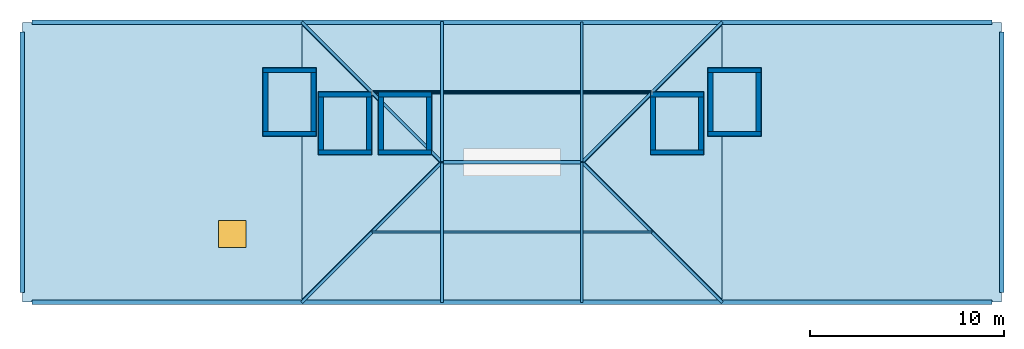
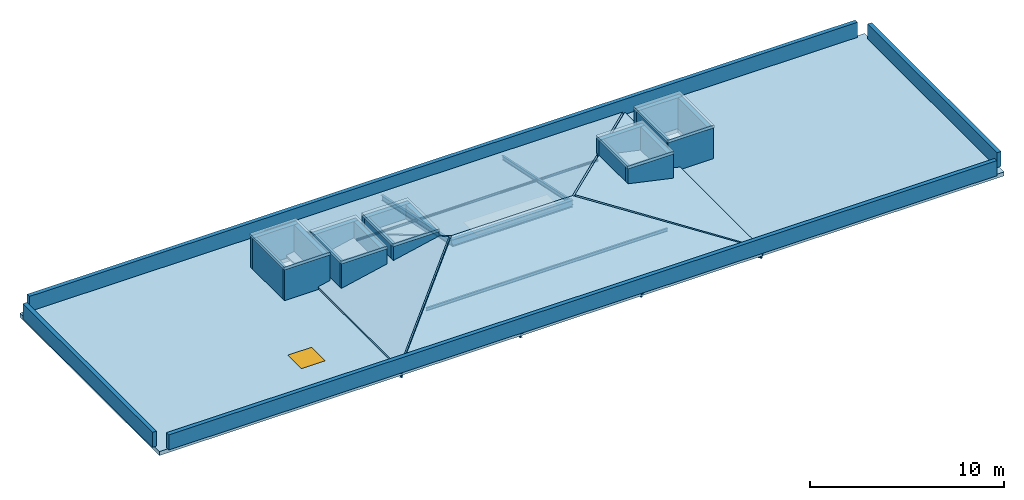
"""IFC4 building model written with IfcOpenShell, lengths in metres."""

from ifc_helpers import new_model, si_unit, direction, frame, frame_2d, origin, origin_2d, place, context, subcontext, project, spatial, polyline, rectangle, hollow_circle, i_section, outline, extrude, material, layer, layer_set, material_profile, profile_set, type_object, element, fill, save


model = new_model("IFC4")

# Units and contexts
model_context = context("Model", 3, precision=1e-05, world=origin(), true_north=direction((0.0, 1.0)))
body_context = subcontext(model_context, "Body", "Model", "MODEL_VIEW")
ifc_project = project(units=[si_unit("LENGTHUNIT", "METRE"), si_unit("AREAUNIT", "SQUARE_METRE"), si_unit("VOLUMEUNIT", "CUBIC_METRE"), si_unit("PLANEANGLEUNIT", "RADIAN"), si_unit("MASSUNIT", "GRAM", prefix="KILO")], contexts=[model_context])

# Site, building, storey
site_placement = place(None, origin())
site = spatial("IfcSite", under=ifc_project, at=site_placement, CompositionType="ELEMENT")
building_placement = place(site_placement, origin())
building = spatial("IfcBuilding", under=site, at=building_placement, Name="Kazehaya Institute of Natural Sciences", CompositionType="ELEMENT")
storey_1_placement = place(building_placement, frame((0.0, 0.0, 46.260009765625)))
storey_1 = spatial("IfcBuildingStorey", under=building, at=storey_1_placement, Name="Roof", CompositionType="ELEMENT", Elevation=46.260009765625)

# Beam
ifc_material_1 = material(Name="Structural steel SN490B", Category="steel")
ifc_material_profile_1 = material_profile(ifc_material_1, i_section(OverallWidth=0.199951171875, OverallDepth=0.449951171875, WebThickness=0.009033203125, FlangeThickness=0.013916015625, FilletRadius=0.01611328125, at=origin_2d()), Name="H-450x200x9x14")
ifc_profile_set_1 = profile_set([ifc_material_profile_1], Name="Structural steel SN490B")
beam_type = type_object("IfcBeamType", Name="BM-STL-H450", PredefinedType="BEAM", material=ifc_profile_set_1)
beam_placement = place(storey_1_placement, frame((83.39990234375, 21.199951171875, 1.25048828125), z_axis=(1.0, 0.0, 0.0), x_axis=(0.0, 1.0, 0.0)))
element("IfcBeam", 1, at=beam_placement, inside=storey_1, type_object=beam_type, Name="ROOF-VOL4-ATTIC steel ridge girder", PredefinedType="BEAM", context=body_context, shape_type="SweptSolid", body=[
    extrude(i_section(OverallWidth=0.199951171875, OverallDepth=0.449951171875, WebThickness=0.009033203125, FlangeThickness=0.013916015625, FilletRadius=0.01611328125, at=origin_2d()), origin(), (0.0, 0.0, 1.0), 7.2001953125),
])

# Members
ifc_material_profile_2 = material_profile(ifc_material_1, hollow_circle(Radius=0.08251953125, WallThickness=0.006103515625, at=origin_2d()), Name="CHS-165.2x6.0")
ifc_profile_set_2 = profile_set([ifc_material_profile_2], Name="Structural steel SN490B")
member_type_1 = type_object("IfcMemberType", Name="MEM-PUR-CHS165", PredefinedType="PURLIN", material=ifc_profile_set_2)
member_1_placement = place(storey_1_placement, frame((79.800048828125, 24.800048828125, 0.4951171875), z_axis=(1.0, 0.0, 0.0), x_axis=(0.0, 1.0, 0.0)))
element("IfcMember", 2, at=member_1_placement, inside=storey_1, type_object=member_type_1, Name="ROOF-VOL4-ATTIC roof purlin 10", PredefinedType="PURLIN", context=body_context, shape_type="SweptSolid", body=[
    extrude(hollow_circle(Radius=0.08251953125, WallThickness=0.006103515625, at=origin_2d()), origin(), (0.0, 0.0, 1.0), 14.39990234375),
])
ifc_material_profile_3 = material_profile(ifc_material_1, i_section(OverallWidth=0.10009765625, OverallDepth=0.199951171875, WebThickness=0.005615234375, FlangeThickness=0.008056640625, FilletRadius=0.008056640625, at=origin_2d()), Name="H-200x100x5.5x8")
ifc_profile_set_3 = profile_set([ifc_material_profile_3], Name="Structural steel SN490B")
member_type_2 = type_object("IfcMemberType", Name="MEM-PUR-H200", PredefinedType="PURLIN", material=ifc_profile_set_3)
member_2_placement = place(storey_1_placement, frame((79.800048828125, 17.60009765625, 0.4951171875), z_axis=(1.0, 0.0, 0.0), x_axis=(0.0, 1.0, 0.0)))
element("IfcMember", 3, at=member_2_placement, inside=storey_1, type_object=member_type_2, Name="ROOF-VOL4-ATTIC roof purlin 9", PredefinedType="PURLIN", context=body_context, shape_type="SweptSolid", body=[
    extrude(i_section(OverallWidth=0.10009765625, OverallDepth=0.199951171875, WebThickness=0.005615234375, FlangeThickness=0.008056640625, FilletRadius=0.008056640625, at=origin_2d()), origin(), (0.0, 0.0, 1.0), 14.39990234375),
])
ifc_material_profile_4 = material_profile(ifc_material_1, i_section(OverallWidth=0.125, OverallDepth=0.25, WebThickness=0.006103515625, FlangeThickness=0.009033203125, FilletRadius=0.010009765625, at=origin_2d()), Name="H-250x125x6x9")
ifc_profile_set_4 = profile_set([ifc_material_profile_4], Name="Structural steel SN490B")
member_type_3 = type_object("IfcMemberType", Name="MEM-RAF-H250", PredefinedType="RAFTER", material=ifc_profile_set_4)
for number, where, z_axis, x_axis, name in (
    (4, (90.60009765625, 14.0, -0.25), (0.0, 0.97896688533, 0.204019208478), (-1.0, 0.0, 0.0), "ROOF-VOL4-ATTIC roof truss rafter 59"),
    (5, (90.60009765625, 28.39990234375, -0.25), (0.0, -0.97896688533, 0.204019208478), (1.0, 0.0, 0.0), "ROOF-VOL4-ATTIC roof truss rafter 60"),
):
    element("IfcMember", number, at=place(storey_1_placement, frame(where, z_axis=z_axis, x_axis=x_axis)), inside=storey_1, type_object=member_type_3, Name=name, PredefinedType="RAFTER", context=body_context, shape_type="SweptSolid", body=[
        extrude(i_section(OverallWidth=0.125, OverallDepth=0.25, WebThickness=0.006103515625, FlangeThickness=0.009033203125, FilletRadius=0.010009765625, at=origin_2d()), origin(), (0.0, 0.0, 1.0), 7.354736328125),
    ])
ifc_material_profile_5 = material_profile(ifc_material_1, i_section(OverallWidth=0.14990234375, OverallDepth=0.300048828125, WebThickness=0.006591796875, FlangeThickness=0.009033203125, FilletRadius=0.012939453125, at=origin_2d()), Name="H-300x150x6.5x9")
ifc_profile_set_5 = profile_set([ifc_material_profile_5], Name="Structural steel SN490B")
member_type_4 = type_object("IfcMemberType", Name="MEM-RAF-H300", PredefinedType="RAFTER", material=ifc_profile_set_5)
for number, where, z_axis, x_axis, name in (
    (6, (76.199951171875, 14.0, -0.25), (0.699551906345, 0.699551906345, 0.145788410579), (-0.707106781187, 0.707106781187, 0.0), "ROOF-VOL4-ATTIC corner hip rafter SW"),
    (7, (76.199951171875, 28.39990234375, -0.25), (0.699551906345, -0.699551906345, 0.145788410579), (0.707106781187, 0.707106781187, 0.0), "ROOF-VOL4-ATTIC corner hip rafter NW"),
    (8, (97.800048828125, 14.0, -0.25), (-0.699551906345, 0.699551906345, 0.145788410579), (-0.707106781187, -0.707106781187, 0.0), "ROOF-VOL4-ATTIC corner hip rafter SE"),
    (9, (97.800048828125, 28.39990234375, -0.25), (-0.699551906345, -0.699551906345, 0.145788410579), (0.707106781187, -0.707106781187, 0.0), "ROOF-VOL4-ATTIC corner hip rafter NE"),
):
    element("IfcMember", number, at=place(storey_1_placement, frame(where, z_axis=z_axis, x_axis=x_axis)), inside=storey_1, type_object=member_type_4, Name=name, PredefinedType="RAFTER", context=body_context, shape_type="SweptSolid", body=[
        extrude(i_section(OverallWidth=0.14990234375, OverallDepth=0.300048828125, WebThickness=0.006591796875, FlangeThickness=0.009033203125, FilletRadius=0.012939453125, at=origin_2d()), origin(), (0.0, 0.0, 1.0), 10.292236328125),
    ])
for number, where, z_axis, x_axis, name in (
    (10, (83.39990234375, 14.0, -0.25), (0.0, 0.97896688533, 0.204019208478), (-1.0, 0.0, 0.0), "ROOF-VOL4-ATTIC roof truss rafter 57"),
    (11, (83.39990234375, 28.39990234375, -0.25), (0.0, -0.97896688533, 0.204019208478), (1.0, 0.0, 0.0), "ROOF-VOL4-ATTIC roof truss rafter 58"),
):
    element("IfcMember", number, at=place(storey_1_placement, frame(where, z_axis=z_axis, x_axis=x_axis)), inside=storey_1, type_object=member_type_4, Name=name, PredefinedType="RAFTER", context=body_context, shape_type="SweptSolid", body=[
        extrude(i_section(OverallWidth=0.14990234375, OverallDepth=0.300048828125, WebThickness=0.006591796875, FlangeThickness=0.009033203125, FilletRadius=0.012939453125, at=origin_2d()), origin(), (0.0, 0.0, 1.0), 7.354736328125),
    ])

# Slabs
ifc_material_2 = material(Name="Concrete Fc36", Category="concrete")
ifc_layer_1 = layer(ifc_material_2, 0.169921875, Name="Concrete Fc36", Category="concrete")
ifc_layer_set_1 = layer_set([ifc_layer_1], Name="Concrete Fc36")
slab_type_1 = type_object("IfcSlabType", Name="SL-ROF-170", PredefinedType="ROOF", material=ifc_layer_set_1)
for number, where, z_axis, x_axis, name in (
    (12, (76.199951171875, 14.0, 0.169921875), (0.0, -0.207927381249, 0.978144265498), (1.0, 0.0, 0.0), "ROOF-VOL4-ATTIC south pitched roof slab"),
    (13, (97.800048828125, 28.39990234375, 0.169921875), (0.0, 0.207927381249, 0.978144265498), (-1.0, 0.0, 0.0), "ROOF-VOL4-ATTIC north pitched roof slab"),
):
    element("IfcSlab", number, at=place(storey_1_placement, frame(where, z_axis=z_axis, x_axis=x_axis)), inside=storey_1, type_object=slab_type_1, Name=name, PredefinedType="ROOF", context=body_context, shape_type="SweptSolid", body=[
        extrude(outline(polyline([(0.0, 0.0), (21.60009765625, 0.0), (14.400146484375, 7.360827462611374), (7.199951171875, 7.360827462611374), (0.0, 0.0)])), origin(), (0.0, 0.0, -1.0), 0.169921875),
    ])
for number, where, z_axis, x_axis, name in (
    (14, (76.199951171875, 28.239990234375, 0.169921875), (-0.212439492435, 0.0, 0.977174222979), (0.0, -1.0, 0.0), "ROOF-VOL4-ATTIC west hip pitched roof slab"),
    (15, (97.800048828125, 14.159912109375, 0.169921875), (0.212439492435, 0.0, 0.977174222979), (0.0, 1.0, 0.0), "ROOF-VOL4-ATTIC east hip pitched roof slab"),
):
    element("IfcSlab", number, at=place(storey_1_placement, frame(where, z_axis=z_axis, x_axis=x_axis)), inside=storey_1, type_object=slab_type_1, Name=name, PredefinedType="ROOF", context=body_context, shape_type="SweptSolid", body=[
        extrude(outline(polyline([(0.0, 0.0), (14.080078125, 0.0), (7.0400390625, 7.204487078097614), (0.0, 0.0)])), origin(), (0.0, 0.0, -1.0), 0.169921875),
    ])
ifc_layer_2 = layer(ifc_material_2, 0.179931640625, Name="Concrete Fc36", Category="concrete")
ifc_layer_set_2 = layer_set([ifc_layer_2], Name="Concrete Fc36")
slab_type_2 = type_object("IfcSlabType", Name="SL-ROF-180", PredefinedType="ROOF", material=ifc_layer_set_2)
slab_1_placement = place(storey_1_placement, frame((0.0, 0.0, 1.93994140625)))
element("IfcSlab", 16, at=slab_1_placement, inside=storey_1, type_object=slab_type_2, Name="Roof EL07 lift overrun roof cap", PredefinedType="ROOF", context=body_context, shape_type="SweptSolid", body=[
    extrude(outline(polyline([(74.1650390625, 22.514892578125), (76.93505859375, 22.514892578125), (76.93505859375, 26.0849609375), (74.1650390625, 26.0849609375), (74.1650390625, 22.514892578125)])), origin(), (0.0, 0.0, 1.0), 0.179931640625),
])
slab_2_placement = place(storey_1_placement, frame((0.0, 0.0, 1.93994140625)))
element("IfcSlab", 17, at=slab_2_placement, inside=storey_1, type_object=slab_type_2, Name="Roof EL08 lift overrun roof cap", PredefinedType="ROOF", context=body_context, shape_type="SweptSolid", body=[
    extrude(outline(polyline([(97.06494140625, 22.514892578125), (99.8349609375, 22.514892578125), (99.8349609375, 26.0849609375), (97.06494140625, 26.0849609375), (97.06494140625, 22.514892578125)])), origin(), (0.0, 0.0, 1.0), 0.179931640625),
])
slab_3_placement = place(storey_1_placement, frame((0.0, 0.0, 1.89990234375)))
element("IfcSlab", 18, at=slab_3_placement, inside=storey_1, type_object=slab_type_2, Name="Roof EL01 lift overrun roof cap", PredefinedType="ROOF", context=body_context, shape_type="SweptSolid", body=[
    extrude(outline(polyline([(77.014892578125, 21.56494140625), (79.784912109375, 21.56494140625), (79.784912109375, 24.8349609375), (77.014892578125, 24.8349609375), (77.014892578125, 21.56494140625)])), origin(), (0.0, 0.0, 1.0), 0.18017578125),
])
slab_4_placement = place(storey_1_placement, frame((0.0, 0.0, 1.89990234375)))
element("IfcSlab", 19, at=slab_4_placement, inside=storey_1, type_object=slab_type_2, Name="Roof EL02 lift overrun roof cap", PredefinedType="ROOF", context=body_context, shape_type="SweptSolid", body=[
    extrude(outline(polyline([(80.114990234375, 21.56494140625), (82.885009765625, 21.56494140625), (82.885009765625, 24.8349609375), (80.114990234375, 24.8349609375), (80.114990234375, 21.56494140625)])), origin(), (0.0, 0.0, 1.0), 0.18017578125),
])
slab_5_placement = place(storey_1_placement, frame((0.0, 0.0, 1.89990234375)))
element("IfcSlab", 20, at=slab_5_placement, inside=storey_1, type_object=slab_type_2, Name="Roof EL03 lift overrun roof cap", PredefinedType="ROOF", context=body_context, shape_type="SweptSolid", body=[
    extrude(outline(polyline([(94.114990234375, 21.56494140625), (96.885009765625, 21.56494140625), (96.885009765625, 24.8349609375), (94.114990234375, 24.8349609375), (94.114990234375, 21.56494140625)])), origin(), (0.0, 0.0, 1.0), 0.18017578125),
])

# Slab, opening
ifc_layer_3 = layer(ifc_material_2, 0.2548828125, Name="Concrete Fc36", Category="concrete")
ifc_layer_set_3 = layer_set([ifc_layer_3], Name="Concrete Fc36")
slab_type_3 = type_object("IfcSlabType", Name="SL-ROF-255", PredefinedType="ROOF", material=ifc_layer_set_3)
slab_6_placement = place(storey_1_placement, frame((0.0, 0.0, -0.255126953125)))
slab_6 = element("IfcSlab", 21, at=slab_6_placement, inside=storey_1, type_object=slab_type_3, Name="Roof attic structural deck SLAB-ROOF-ATTIC", PredefinedType="ROOF", context=body_context, shape_type="SweptSolid", body=[
    extrude(outline(polyline([(61.800048828125, 14.0), (112.199951171875, 14.0), (112.199951171875, 28.39990234375), (61.800048828125, 28.39990234375), (61.800048828125, 14.0)]), holes=[polyline([(74.449951171875, 22.800048828125), (76.64990234375, 22.800048828125), (76.64990234375, 25.800048828125), (74.449951171875, 25.800048828125), (74.449951171875, 22.800048828125)]), polyline([(97.35009765625, 22.800048828125), (99.550048828125, 22.800048828125), (99.550048828125, 25.800048828125), (97.35009765625, 25.800048828125), (97.35009765625, 22.800048828125)]), polyline([(77.300048828125, 21.85009765625), (79.5, 21.85009765625), (79.5, 24.550048828125), (77.300048828125, 24.550048828125), (77.300048828125, 21.85009765625)]), polyline([(80.39990234375, 21.85009765625), (82.60009765625, 21.85009765625), (82.60009765625, 24.550048828125), (80.39990234375, 24.550048828125), (80.39990234375, 21.85009765625)]), polyline([(94.39990234375, 21.85009765625), (96.60009765625, 21.85009765625), (96.60009765625, 24.550048828125), (94.39990234375, 24.550048828125), (94.39990234375, 21.85009765625)]), polyline([(71.89990234375, 16.800048828125), (73.300048828125, 16.800048828125), (73.300048828125, 18.199951171875), (71.89990234375, 18.199951171875), (71.89990234375, 16.800048828125)])]), origin(), (0.0, 0.0, 1.0), 0.255126953125),
])
opening_placement = place(slab_6_placement, frame((72.60009765625, 17.5, 0.0)))
opening = element("IfcOpeningElement", 22, at=opening_placement, cuts=slab_6, Name="Opening SK04", PredefinedType="OPENING", context=body_context, shape_type="SweptSolid", body=[
    extrude(rectangle(XDim=1.39990234375, YDim=1.39990234375, at=origin_2d()), frame((0.0, 0.0, -0.010009765625)), (0.0, 0.0, 1.0), 0.275146484375),
])

# Storey
storey_2_placement = place(building_placement, frame((0.0, 0.0, 41.93994140625)))
storey_2 = spatial("IfcBuildingStorey", under=building, at=storey_2_placement, Name="L09", CompositionType="ELEMENT", Elevation=41.93994140625)

# Window
ifc_material_3 = material(Name="Low-E double-glazed aluminium window", Category="aluminium")
window_type = type_object("IfcWindowType", Name="SK-04", PartitioningType="SINGLE_PANEL", PredefinedType="SKYLIGHT", material=ifc_material_3)
window_placement = place(opening_placement, frame((0.0, 0.0, 0.205078125)))
window = element("IfcWindow", 23, at=window_placement, inside=storey_2, type_object=window_type, Name="L09 daylight skylight SKY-09", OverallHeight=1.39990234375, OverallWidth=1.39990234375, PartitioningType="SINGLE_PANEL", PredefinedType="SKYLIGHT", context=body_context, shape_type="SweptSolid", body=[
    extrude(rectangle(XDim=1.39990234375, YDim=1.39990234375, at=origin_2d()), origin(), (0.0, 0.0, 1.0), 0.050048828125),
])

fill(opening, window)

# Walls
ifc_material_4 = material(Name="Precast concrete Fc36", Category="concrete")
ifc_layer_4 = layer(ifc_material_4, 0.239990234375, Name="Precast concrete Fc36", Category="concrete")
ifc_layer_set_4 = layer_set([ifc_layer_4], Name="Precast concrete Fc36")
wall_type_1 = type_object("IfcWallType", Name="WL-PAR-240", PredefinedType="PARAPET", material=ifc_layer_set_4)
wall_1_placement = place(storey_1_placement, frame((62.300048828125, 14.0, 0.0), z_axis=(0.0, 0.0, 1.0), x_axis=(1.0, 0.0, 0.0)))
element("IfcWall", 24, at=wall_1_placement, inside=storey_1, type_object=wall_type_1, Name="Roof roof parapet wall PAR-01", PredefinedType="PARAPET", context=body_context, shape_type="SweptSolid", body=[
    extrude(rectangle(XDim=49.39990234375, YDim=0.239990234375, at=frame_2d((24.699951171875, 0.0))), origin(), (0.0, 0.0, 1.0), 0.949951171875),
])
wall_2_placement = place(storey_1_placement, frame((112.199951171875, 14.5, 0.0), z_axis=(0.0, 0.0, 1.0), x_axis=(0.0, 1.0, 0.0)))
element("IfcWall", 25, at=wall_2_placement, inside=storey_1, type_object=wall_type_1, Name="Roof roof parapet wall PAR-02", PredefinedType="PARAPET", context=body_context, shape_type="SweptSolid", body=[
    extrude(rectangle(XDim=13.39990234375, YDim=0.239990234375, at=frame_2d((6.699951171875, 0.0))), origin(), (0.0, 0.0, 1.0), 0.949951171875),
])
wall_3_placement = place(storey_1_placement, frame((111.699951171875, 28.39990234375, 0.0), z_axis=(0.0, 0.0, 1.0), x_axis=(-1.0, 0.0, 0.0)))
element("IfcWall", 26, at=wall_3_placement, inside=storey_1, type_object=wall_type_1, Name="Roof roof parapet wall PAR-03", PredefinedType="PARAPET", context=body_context, shape_type="SweptSolid", body=[
    extrude(rectangle(XDim=49.39990234375, YDim=0.239990234375, at=frame_2d((24.699951171875, 0.0))), origin(), (0.0, 0.0, 1.0), 0.949951171875),
])
wall_4_placement = place(storey_1_placement, frame((61.800048828125, 27.89990234375, 0.0), z_axis=(0.0, 0.0, 1.0), x_axis=(0.0, -1.0, 0.0)))
element("IfcWall", 27, at=wall_4_placement, inside=storey_1, type_object=wall_type_1, Name="Roof roof parapet wall PAR-04", PredefinedType="PARAPET", context=body_context, shape_type="SweptSolid", body=[
    extrude(rectangle(XDim=13.39990234375, YDim=0.239990234375, at=frame_2d((6.699951171875, 0.0))), origin(), (0.0, 0.0, 1.0), 0.949951171875),
])
ifc_material_5 = material(Name="Concrete Fc42", Category="concrete")
ifc_layer_5 = layer(ifc_material_5, 0.25, Name="Concrete Fc42", Category="concrete")
ifc_layer_set_5 = layer_set([ifc_layer_5], Name="Concrete Fc42")
wall_type_2 = type_object("IfcWallType", Name="WL-SHAFT-250", PredefinedType="SHEAR", material=ifc_layer_set_5)
for number, where, z_axis, x_axis, name in (
    (28, (76.909912109375, 22.6650390625, 0.0), (0.0, 0.0, 1.0), (-1.0, 0.0, 0.0), "Roof EL07 lift overrun enclosure south"),
    (29, (74.18994140625, 25.93505859375, 0.0), (0.0, 0.0, 1.0), (1.0, 0.0, 0.0), "Roof EL07 lift overrun enclosure north"),
):
    element("IfcWall", number, at=place(storey_1_placement, frame(where, z_axis=z_axis, x_axis=x_axis)), inside=storey_1, type_object=wall_type_2, Name=name, PredefinedType="SHEAR", context=body_context, shape_type="SweptSolid", body=[
        extrude(rectangle(XDim=2.719970703125, YDim=0.25, at=frame_2d((1.35986328125, 0.0))), origin(), (0.0, 0.0, 1.0), 1.93994140625),
    ])
for number, where, z_axis, x_axis, name in (
    (30, (74.31494140625, 22.6650390625, 0.0), (0.0, 0.0, 1.0), (0.0, 1.0, 0.0), "Roof EL07 lift overrun enclosure west"),
    (31, (76.784912109375, 25.93505859375, 0.0), (0.0, 0.0, 1.0), (0.0, -1.0, 0.0), "Roof EL07 lift overrun enclosure east"),
):
    element("IfcWall", number, at=place(storey_1_placement, frame(where, z_axis=z_axis, x_axis=x_axis)), inside=storey_1, type_object=wall_type_2, Name=name, PredefinedType="SHEAR", context=body_context, shape_type="SweptSolid", body=[
        extrude(rectangle(XDim=3.27001953125, YDim=0.25, at=frame_2d((1.635009765625, 0.0))), origin(), (0.0, 0.0, 1.0), 1.93994140625),
    ])
for number, where, z_axis, x_axis, name in (
    (32, (99.81005859375, 22.6650390625, 0.0), (0.0, 0.0, 1.0), (-1.0, 0.0, 0.0), "Roof EL08 lift overrun enclosure south"),
    (33, (97.090087890625, 25.93505859375, 0.0), (0.0, 0.0, 1.0), (1.0, 0.0, 0.0), "Roof EL08 lift overrun enclosure north"),
):
    element("IfcWall", number, at=place(storey_1_placement, frame(where, z_axis=z_axis, x_axis=x_axis)), inside=storey_1, type_object=wall_type_2, Name=name, PredefinedType="SHEAR", context=body_context, shape_type="SweptSolid", body=[
        extrude(rectangle(XDim=2.719970703125, YDim=0.25, at=frame_2d((1.35986328125, 0.0))), origin(), (0.0, 0.0, 1.0), 1.93994140625),
    ])
for number, where, z_axis, x_axis, name in (
    (34, (97.215087890625, 22.6650390625, 0.0), (0.0, 0.0, 1.0), (0.0, 1.0, 0.0), "Roof EL08 lift overrun enclosure west"),
    (35, (99.68505859375, 25.93505859375, 0.0), (0.0, 0.0, 1.0), (0.0, -1.0, 0.0), "Roof EL08 lift overrun enclosure east"),
):
    element("IfcWall", number, at=place(storey_1_placement, frame(where, z_axis=z_axis, x_axis=x_axis)), inside=storey_1, type_object=wall_type_2, Name=name, PredefinedType="SHEAR", context=body_context, shape_type="SweptSolid", body=[
        extrude(rectangle(XDim=3.27001953125, YDim=0.25, at=frame_2d((1.635009765625, 0.0))), origin(), (0.0, 0.0, 1.0), 1.93994140625),
    ])
for number, where, z_axis, x_axis, name in (
    (36, (79.760009765625, 21.715087890625, 0.0), (0.0, 0.0, 1.0), (-1.0, 0.0, 0.0), "Roof EL01 lift overrun enclosure south"),
    (37, (77.0400390625, 24.68505859375, 0.0), (0.0, 0.0, 1.0), (1.0, 0.0, 0.0), "Roof EL01 lift overrun enclosure north"),
):
    element("IfcWall", number, at=place(storey_1_placement, frame(where, z_axis=z_axis, x_axis=x_axis)), inside=storey_1, type_object=wall_type_2, Name=name, PredefinedType="SHEAR", context=body_context, shape_type="SweptSolid", body=[
        extrude(rectangle(XDim=2.719970703125, YDim=0.25, at=frame_2d((1.35986328125, 0.0))), origin(), (0.0, 0.0, 1.0), 1.89990234375),
    ])
for number, where, z_axis, x_axis, name in (
    (38, (77.1650390625, 21.715087890625, 0.0), (0.0, 0.0, 1.0), (0.0, 1.0, 0.0), "Roof EL01 lift overrun enclosure west"),
    (39, (79.635009765625, 24.68505859375, 0.0), (0.0, 0.0, 1.0), (0.0, -1.0, 0.0), "Roof EL01 lift overrun enclosure east"),
):
    element("IfcWall", number, at=place(storey_1_placement, frame(where, z_axis=z_axis, x_axis=x_axis)), inside=storey_1, type_object=wall_type_2, Name=name, PredefinedType="SHEAR", context=body_context, shape_type="SweptSolid", body=[
        extrude(rectangle(XDim=2.969970703125, YDim=0.25, at=frame_2d((1.48486328125, 0.0))), origin(), (0.0, 0.0, 1.0), 1.89990234375),
    ])
for number, where, z_axis, x_axis, name in (
    (40, (82.860107421875, 21.715087890625, 0.0), (0.0, 0.0, 1.0), (-1.0, 0.0, 0.0), "Roof EL02 lift overrun enclosure south"),
    (41, (80.139892578125, 24.68505859375, 0.0), (0.0, 0.0, 1.0), (1.0, 0.0, 0.0), "Roof EL02 lift overrun enclosure north"),
):
    element("IfcWall", number, at=place(storey_1_placement, frame(where, z_axis=z_axis, x_axis=x_axis)), inside=storey_1, type_object=wall_type_2, Name=name, PredefinedType="SHEAR", context=body_context, shape_type="SweptSolid", body=[
        extrude(rectangle(XDim=2.72021484375, YDim=0.25, at=frame_2d((1.360107421875, 0.0))), origin(), (0.0, 0.0, 1.0), 1.89990234375),
    ])
for number, where, z_axis, x_axis, name in (
    (42, (80.264892578125, 21.715087890625, 0.0), (0.0, 0.0, 1.0), (0.0, 1.0, 0.0), "Roof EL02 lift overrun enclosure west"),
    (43, (82.735107421875, 24.68505859375, 0.0), (0.0, 0.0, 1.0), (0.0, -1.0, 0.0), "Roof EL02 lift overrun enclosure east"),
):
    element("IfcWall", number, at=place(storey_1_placement, frame(where, z_axis=z_axis, x_axis=x_axis)), inside=storey_1, type_object=wall_type_2, Name=name, PredefinedType="SHEAR", context=body_context, shape_type="SweptSolid", body=[
        extrude(rectangle(XDim=2.969970703125, YDim=0.25, at=frame_2d((1.48486328125, 0.0))), origin(), (0.0, 0.0, 1.0), 1.89990234375),
    ])
for number, where, z_axis, x_axis, name in (
    (44, (96.860107421875, 21.715087890625, 0.0), (0.0, 0.0, 1.0), (-1.0, 0.0, 0.0), "Roof EL03 lift overrun enclosure south"),
    (45, (94.139892578125, 24.68505859375, 0.0), (0.0, 0.0, 1.0), (1.0, 0.0, 0.0), "Roof EL03 lift overrun enclosure north"),
):
    element("IfcWall", number, at=place(storey_1_placement, frame(where, z_axis=z_axis, x_axis=x_axis)), inside=storey_1, type_object=wall_type_2, Name=name, PredefinedType="SHEAR", context=body_context, shape_type="SweptSolid", body=[
        extrude(rectangle(XDim=2.72021484375, YDim=0.25, at=frame_2d((1.360107421875, 0.0))), origin(), (0.0, 0.0, 1.0), 1.89990234375),
    ])
for number, where, z_axis, x_axis, name in (
    (46, (94.264892578125, 21.715087890625, 0.0), (0.0, 0.0, 1.0), (0.0, 1.0, 0.0), "Roof EL03 lift overrun enclosure west"),
    (47, (96.735107421875, 24.68505859375, 0.0), (0.0, 0.0, 1.0), (0.0, -1.0, 0.0), "Roof EL03 lift overrun enclosure east"),
):
    element("IfcWall", number, at=place(storey_1_placement, frame(where, z_axis=z_axis, x_axis=x_axis)), inside=storey_1, type_object=wall_type_2, Name=name, PredefinedType="SHEAR", context=body_context, shape_type="SweptSolid", body=[
        extrude(rectangle(XDim=2.969970703125, YDim=0.25, at=frame_2d((1.48486328125, 0.0))), origin(), (0.0, 0.0, 1.0), 1.89990234375),
    ])

save(model, "model.ifc")
